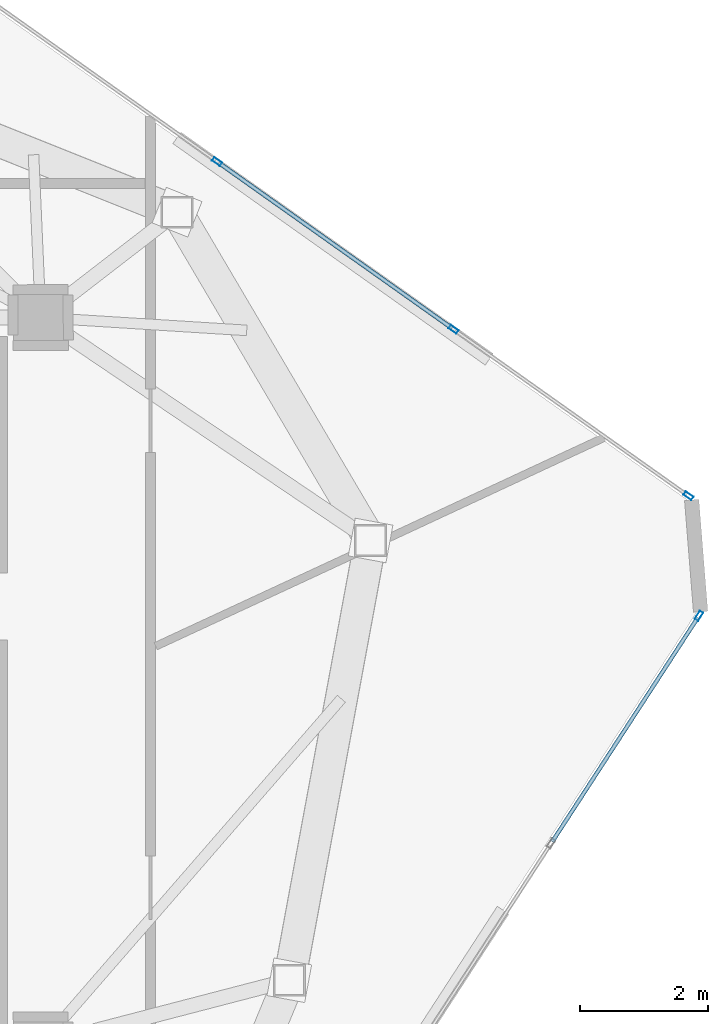
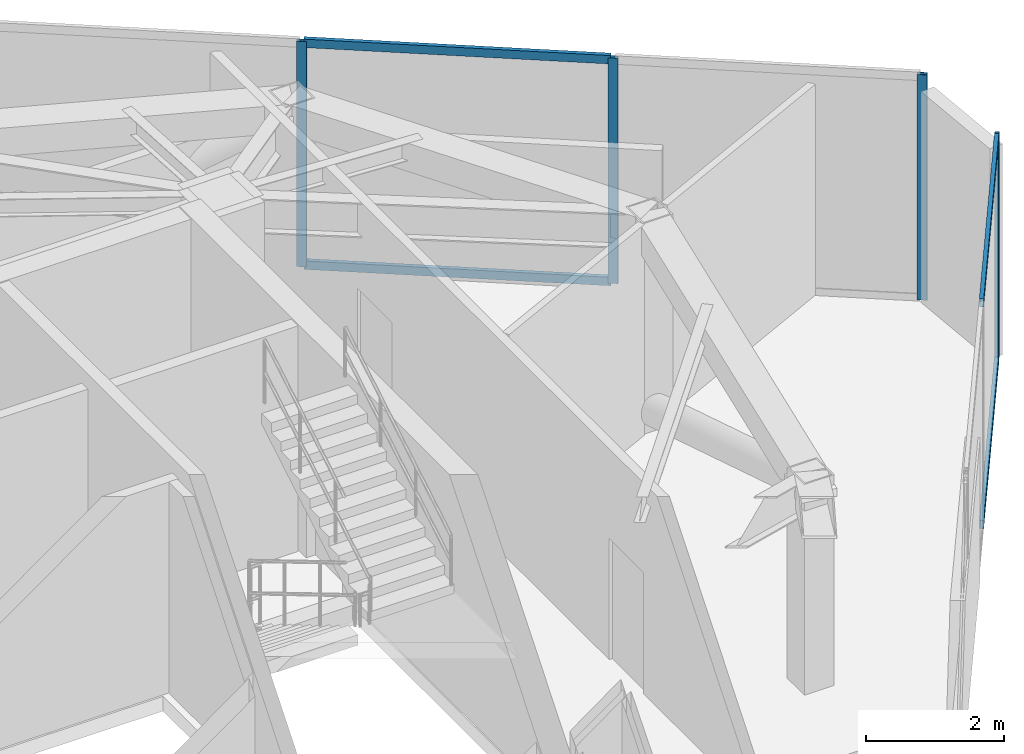
# One storey, part 16 of 21: 8 members, 2 elements without a shape of their own.
"""IFC4 building model written with IfcOpenShell, lengths in metres."""

from ifc_helpers import new_model, si_unit, direction, frame, origin, origin_2d, place, context, subcontext, project, spatial, hollow_rectangle, extrude, source, transform, mapped, material, layer, layer_set, material_profile, profile_set, type_object, type_shapes, element, aggregate, save


model = new_model("IFC4")

# Units and contexts
model_context = context("Model", 3, precision=1e-05, world=origin(), true_north=direction((0.0, 1.0)))
body_context = subcontext(model_context, "Body", "Model", "MODEL_VIEW")
ifc_project = project(units=[si_unit("LENGTHUNIT", "METRE"), si_unit("AREAUNIT", "SQUARE_METRE"), si_unit("VOLUMEUNIT", "CUBIC_METRE"), si_unit("PLANEANGLEUNIT", "RADIAN"), si_unit("MASSUNIT", "GRAM", prefix="KILO")], contexts=[model_context])

# Site, building, storey
site_placement = place(None, origin())
site = spatial("IfcSite", under=ifc_project, at=site_placement, CompositionType="ELEMENT")
building_placement = place(site_placement, origin())
building = spatial("IfcBuilding", under=site, at=building_placement, Name="Talar Marvaseh", CompositionType="ELEMENT")
storey_placement = place(building_placement, frame((0.0, 0.0, 308.0)))
storey = spatial("IfcBuildingStorey", under=building, at=storey_placement, Name="L82", CompositionType="ELEMENT", Elevation=308.0)

# Curtain wall, members
ifc_material = material(Name="Architectural Aluminium", Category="aluminium")
ifc_layer = layer(ifc_material, 0.2099609375)
ifc_layer_set = layer_set([ifc_layer], Name="Architectural Aluminium")
curtain_wall_type = type_object("IfcCurtainWallType", Name="Crown Plant Acoustic Spandrel Curtain Wall", PredefinedType="NOTDEFINED", material=ifc_layer_set)
curtain_wall_1_placement = place(storey_placement, origin())
curtain_wall_1 = element("IfcCurtainWall", 1, at=curtain_wall_1_placement, inside=storey, type_object=curtain_wall_type, Name="L82 Crown Plant Acoustic Spandrel Curtain Wall", PredefinedType="NOTDEFINED")
ifc_material_profile_1 = material_profile(ifc_material, hollow_rectangle(XDim=0.06494140625, YDim=0.14990234375, WallThickness=0.00390625, at=origin_2d()), Name="RHS150x65x4")
ifc_profile_set_1 = profile_set([ifc_material_profile_1], Name="Architectural Aluminium")
member_type_1 = type_object("IfcMemberType", Name="Unitised Curtain Wall Slim Transom RHS150x65x4", PredefinedType="USERDEFINED", material=ifc_profile_set_1)
shared_shape_1 = source(origin(), body_context, "Body", "SweptSolid", [
    extrude(hollow_rectangle(XDim=0.06494140625, YDim=0.14990234375, WallThickness=0.00390625, at=origin_2d()), origin(), (0.0, 0.0, 1.0), 4.47998046875),
])
member_1_placement = place(storey_placement, frame((36.09130859375, 39.32568359375, 0.032470703125), z_axis=(0.815654806613, -0.578538880671, 0.0), x_axis=(0.578538880671, 0.815654806613, 0.0)))
member_1 = element("IfcMember", 2, at=member_1_placement, type_object=member_type_1, Name="CW-CRN transom 2.1", ObjectType="TRANSOM", PredefinedType="USERDEFINED", context=body_context, shape_type="MappedRepresentation", body=[
    mapped(shared_shape_1, transform((0.0, 0.0, 0.0), x_axis=(1.0, 0.0, 0.0), y_axis=(0.0, 1.0, 0.0), z_axis=(0.0, 0.0, 1.0), scale=1.0)),
])
member_2_placement = place(storey_placement, frame((36.09130859375, 39.32568359375, 3.967529296875), z_axis=(0.815654806613, -0.578538880671, 0.0), x_axis=(0.578538880671, 0.815654806613, 0.0)))
member_2 = element("IfcMember", 3, at=member_2_placement, type_object=member_type_1, Name="CW-CRN transom 2.2", ObjectType="TRANSOM", PredefinedType="USERDEFINED", context=body_context, shape_type="MappedRepresentation", body=[
    mapped(shared_shape_1, transform((0.0, 0.0, 0.0), x_axis=(1.0, 0.0, 0.0), y_axis=(0.0, 1.0, 0.0), z_axis=(0.0, 0.0, 1.0), scale=1.0)),
])

curtain_wall_2_placement = place(storey_placement, origin())
curtain_wall_2 = element("IfcCurtainWall", 4, at=curtain_wall_2_placement, inside=storey, type_object=curtain_wall_type, Name="L82 Crown Plant Acoustic Spandrel Curtain Wall", PredefinedType="NOTDEFINED")
shared_shape_2 = source(origin(), body_context, "Body", "SweptSolid", [
    extrude(hollow_rectangle(XDim=0.06494140625, YDim=0.14990234375, WallThickness=0.00390625, at=origin_2d()), origin(), (0.0, 0.0, 1.0), 4.18896484375),
])
type_shapes(member_type_1, [shared_shape_1, shared_shape_2])
member_3_placement = place(storey_placement, frame((43.599609375, 32.197509765625, 0.032470703125), z_axis=(-0.5447752758, -0.838582076411, 0.0), x_axis=(0.838582076411, -0.5447752758, 0.0)))
member_3 = element("IfcMember", 5, at=member_3_placement, type_object=member_type_1, Name="CW-CRN transom 1.1", ObjectType="TRANSOM", PredefinedType="USERDEFINED", context=body_context, shape_type="MappedRepresentation", body=[
    mapped(shared_shape_2, transform((0.0, 0.0, 0.0), x_axis=(1.0, 0.0, 0.0), y_axis=(0.0, 1.0, 0.0), z_axis=(0.0, 0.0, 1.0), scale=1.0)),
])
member_4_placement = place(storey_placement, frame((43.599609375, 32.197509765625, 3.967529296875), z_axis=(-0.5447752758, -0.838582076411, 0.0), x_axis=(0.838582076411, -0.5447752758, 0.0)))
member_4 = element("IfcMember", 6, at=member_4_placement, type_object=member_type_1, Name="CW-CRN transom 1.2", ObjectType="TRANSOM", PredefinedType="USERDEFINED", context=body_context, shape_type="MappedRepresentation", body=[
    mapped(shared_shape_2, transform((0.0, 0.0, 0.0), x_axis=(1.0, 0.0, 0.0), y_axis=(0.0, 1.0, 0.0), z_axis=(0.0, 0.0, 1.0), scale=1.0)),
])

# Member
ifc_material_profile_2 = material_profile(ifc_material, hollow_rectangle(XDim=0.06494140625, YDim=0.14990234375, WallThickness=0.00390625, at=origin_2d()), Name="RHS150x65x4")
ifc_profile_set_2 = profile_set([ifc_material_profile_2], Name="Architectural Aluminium")
member_type_2 = type_object("IfcMemberType", Name="Unitised Curtain Wall Slim Mullion RHS150x65x4", PredefinedType="MULLION", material=ifc_profile_set_2)
shared_shape_3 = source(origin(), body_context, "Body", "SweptSolid", [
    extrude(hollow_rectangle(XDim=0.06494140625, YDim=0.14990234375, WallThickness=0.00390625, at=origin_2d()), origin(), (0.0, 0.0, 1.0), 4.0),
])
type_shapes(member_type_2, [shared_shape_3])
member_5_placement = place(storey_placement, frame((36.06494140625, 39.344482421875, 0.0), z_axis=(0.0, 0.0, 1.0), x_axis=(0.578512539176, 0.815673489833, 0.0)))
member_5 = element("IfcMember", 7, at=member_5_placement, type_object=member_type_2, Name="CW-CRN mullion 2", PredefinedType="MULLION", context=body_context, shape_type="MappedRepresentation", body=[
    mapped(shared_shape_3, transform((0.0, 0.0, 0.0), x_axis=(1.0, 0.0, 0.0), y_axis=(0.0, 1.0, 0.0), z_axis=(0.0, 0.0, 1.0), scale=1.0)),
])

member_6_placement = place(storey_placement, frame((39.77197265625, 36.715087890625, 0.0), z_axis=(0.0, 0.0, 1.0), x_axis=(0.578512539176, 0.815673489833, 0.0)))
member_6 = element("IfcMember", 8, at=member_6_placement, type_object=member_type_2, Name="CW-CRN mullion 3", PredefinedType="MULLION", context=body_context, shape_type="MappedRepresentation", body=[
    mapped(shared_shape_3, transform((0.0, 0.0, 0.0), x_axis=(1.0, 0.0, 0.0), y_axis=(0.0, 1.0, 0.0), z_axis=(0.0, 0.0, 1.0), scale=1.0)),
])

member_7_placement = place(storey_placement, frame((43.45263671875, 34.104736328125, 0.0), z_axis=(0.0, 0.0, 1.0), x_axis=(0.578512539176, 0.815673489833, 0.0)))
member_7 = element("IfcMember", 9, at=member_7_placement, type_object=member_type_2, Name="CW-CRN mullion 4", PredefinedType="MULLION", context=body_context, shape_type="MappedRepresentation", body=[
    mapped(shared_shape_3, transform((0.0, 0.0, 0.0), x_axis=(1.0, 0.0, 0.0), y_axis=(0.0, 1.0, 0.0), z_axis=(0.0, 0.0, 1.0), scale=1.0)),
])

aggregate(curtain_wall_1, [member_5, member_6, member_7, member_1, member_2])

member_8_placement = place(storey_placement, frame((43.6171875, 32.224609375, 0.0), z_axis=(0.0, 0.0, 1.0), x_axis=(0.838585906919, -0.544769379387, 0.0)))
member_8 = element("IfcMember", 10, at=member_8_placement, type_object=member_type_2, Name="CW-CRN mullion 1", PredefinedType="MULLION", context=body_context, shape_type="MappedRepresentation", body=[
    mapped(shared_shape_3, transform((0.0, 0.0, 0.0), x_axis=(1.0, 0.0, 0.0), y_axis=(0.0, 1.0, 0.0), z_axis=(0.0, 0.0, 1.0), scale=1.0)),
])

aggregate(curtain_wall_2, [member_8, member_3, member_4])

save(model, "model.ifc")
